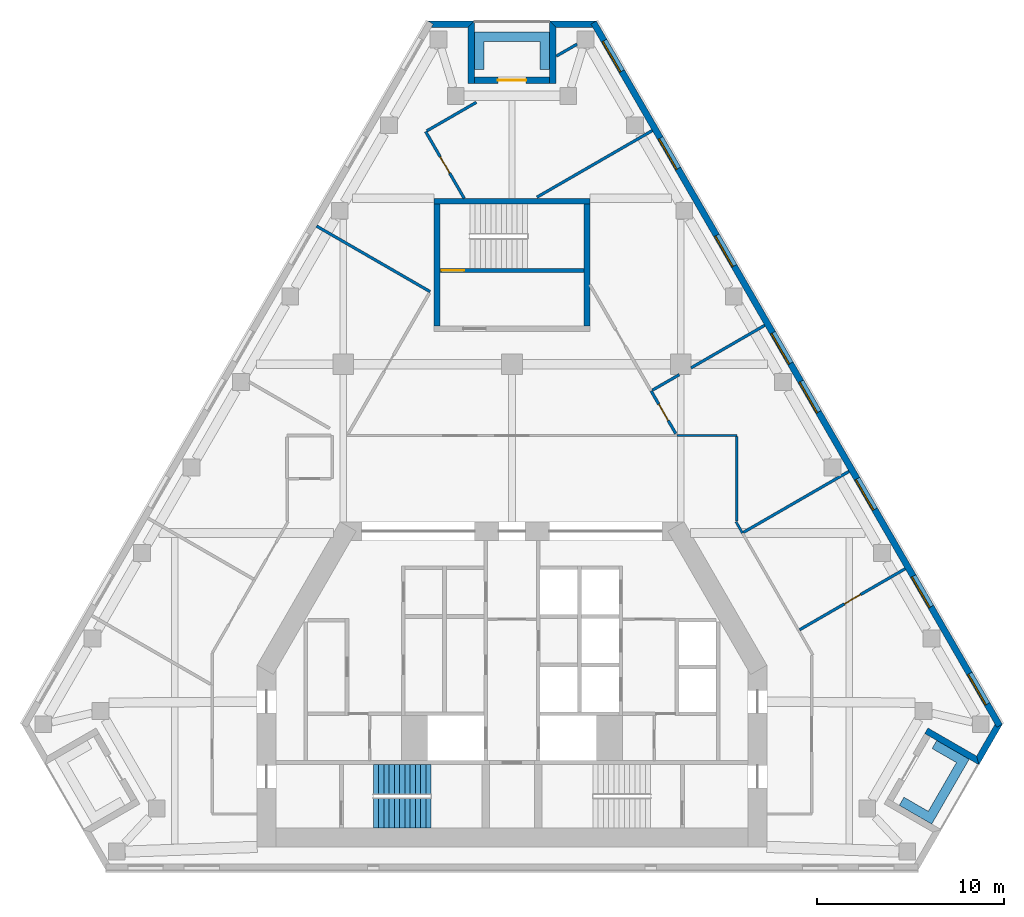
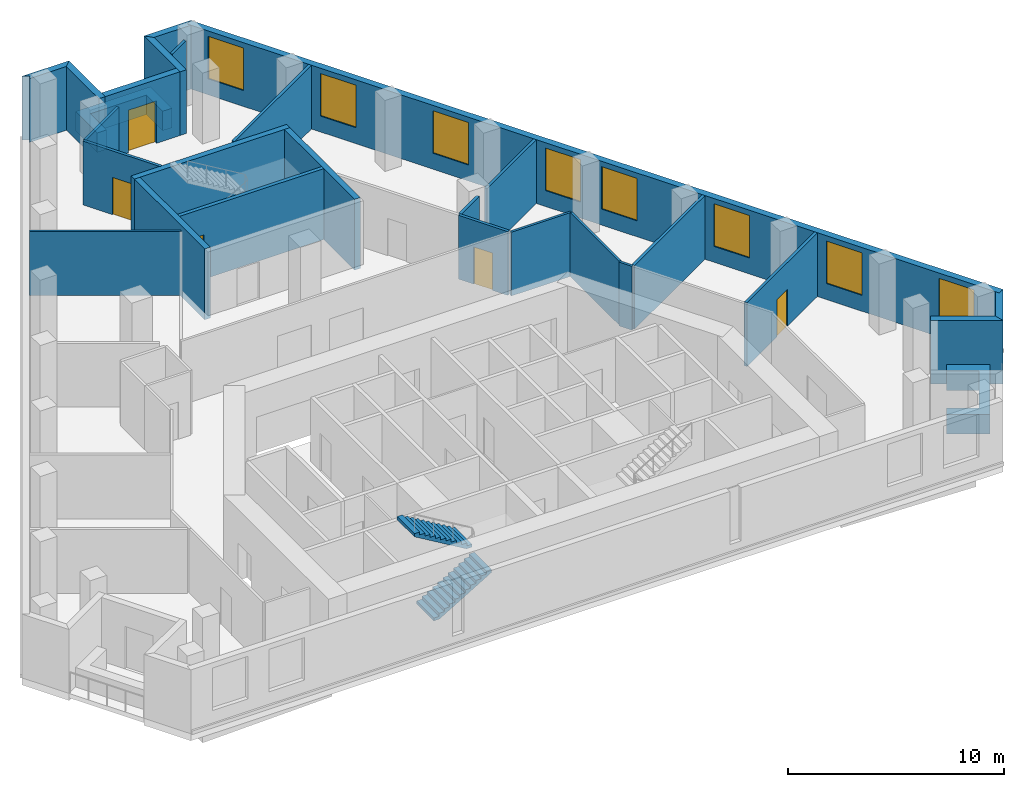
# One storey, part 5 of 7: 27 walls, 8 windows, 5 doors, 2 stair flights, 13 openings, 1 element without a shape of its own.
"""IFC4 building model written with IfcOpenShell, lengths in metres."""

from ifc_helpers import new_model, si_unit, direction, frame, frame_2d, origin, place, context, subcontext, project, spatial, polyline, rectangle, outline, extrude, material, layer, layer_set, type_object, element, fill, aggregate, save


model = new_model("IFC4")

# Units and contexts
model_context = context("Model", 3, precision=1e-05, world=origin(), true_north=direction((0.0, 1.0)))
body_context = subcontext(model_context, "Body", "Model", "MODEL_VIEW")
ifc_project = project(units=[si_unit("LENGTHUNIT", "METRE"), si_unit("AREAUNIT", "SQUARE_METRE"), si_unit("VOLUMEUNIT", "CUBIC_METRE"), si_unit("PLANEANGLEUNIT", "RADIAN"), si_unit("MASSUNIT", "GRAM", prefix="KILO")], contexts=[model_context])

# Site, building, storey
site_placement = place(None, origin())
site = spatial("IfcSite", under=ifc_project, at=site_placement, CompositionType="ELEMENT")
building_placement = place(site_placement, origin())
building = spatial("IfcBuilding", under=site, at=building_placement, Name="Fogline Exchange Tower", CompositionType="ELEMENT")
storey_placement = place(building_placement, frame((0.0, 0.0, 251.5)))
storey = spatial("IfcBuildingStorey", under=building, at=storey_placement, Name="L57", CompositionType="ELEMENT", Elevation=251.5)

# Wall, opening, door
ifc_material_1 = material(Name="Concrete C40", Category="concrete")
ifc_layer_1 = layer(ifc_material_1, 0.199951171875)
ifc_layer_set_1 = layer_set([ifc_layer_1], Name="CW20R")
wall_type_1 = type_object("IfcWallType", Name="CW20R", PredefinedType="SOLIDWALL", material=ifc_layer_set_1)
wall_1_placement = place(storey_placement, frame((-3.85009765625, 32.007080078125, -0.39990234375), z_axis=(0.0, 0.0, 1.0), x_axis=(1.0, 0.0, 0.0)))
wall_1 = element("IfcWall", 1, at=wall_1_placement, inside=storey, type_object=wall_type_1, Name="Stair enclosure wall ST3", PredefinedType="SOLIDWALL", context=body_context, shape_type="SweptSolid", body=[
    extrude(rectangle(XDim=7.7001953125, YDim=0.199951171875, at=frame_2d((3.85009765625, 0.0))), origin(), (0.0, 0.0, 1.0), 4.0),
])
opening_1_placement = place(wall_1_placement, frame((0.10009765625, 0.0, 0.39990234375)))
opening_1 = element("IfcOpeningElement", 2, at=opening_1_placement, cuts=wall_1, Name="Opening T18-C024", PredefinedType="OPENING", context=body_context, shape_type="SweptSolid", body=[
    extrude(rectangle(XDim=1.199951171875, YDim=2.10009765625, at=frame_2d((0.60009765625, 1.050048828125))), frame((0.0, 0.10986328125, 0.0), z_axis=(0.0, -1.0, 0.0), x_axis=(1.0, 0.0, 0.0)), (0.0, 0.0, 1.0), 0.219970703125),
])
ifc_material_2 = material(Name="Steel and timber fire door", Category="steel")
door_type_1 = type_object("IfcDoorType", Name="D-ST1", OperationType="SINGLE_SWING_LEFT", PredefinedType="DOOR", material=ifc_material_2)
door_1_placement = place(opening_1_placement, origin())
door_1 = element("IfcDoor", 3, at=door_1_placement, inside=storey, type_object=door_type_1, Name="Stair door ST3", OperationType="SINGLE_SWING_LEFT", OverallHeight=2.10009765625, OverallWidth=1.199951171875, PredefinedType="DOOR", context=body_context, shape_type="SweptSolid", body=[
    extrude(rectangle(XDim=1.199951171875, YDim=2.10009765625, at=frame_2d((0.60009765625, 1.050048828125))), frame((0.0, 0.02490234375, 0.0), z_axis=(0.0, -1.0, 0.0), x_axis=(1.0, 0.0, 0.0)), (0.0, 0.0, 1.0), 0.050048828125),
])
fill(opening_1, door_1)

# Walls
ifc_layer_2 = layer(ifc_material_1, 0.300048828125)
ifc_layer_set_2 = layer_set([ifc_layer_2], Name="CW30")
wall_type_2 = type_object("IfcWallType", Name="CW30", PredefinedType="SOLIDWALL", material=ifc_layer_set_2)
wall_2_placement = place(storey_placement, frame((-4.14990234375, 35.70703125, -0.39990234375), z_axis=(0.0, 0.0, 1.0), x_axis=(1.0, 0.0, 0.0)))
element("IfcWall", 4, at=wall_2_placement, inside=storey, type_object=wall_type_2, Name="Stair enclosure wall ST3", PredefinedType="SOLIDWALL", context=body_context, shape_type="SweptSolid", body=[
    extrude(rectangle(XDim=8.2998046875, YDim=0.300048828125, at=frame_2d((4.14990234375, 0.0))), origin(), (0.0, 0.0, 1.0), 4.0),
])
for number, where, z_axis, x_axis, name in (
    (5, (-4.0, 29.056884765625, -0.39990234375), (0.0, 0.0, 1.0), (0.0, 1.0, 0.0), "Stair enclosure wall ST3"),
    (6, (4.0, 29.056884765625, -0.39990234375), (0.0, 0.0, 1.0), (0.0, 1.0, 0.0), "Stair enclosure wall ST3"),
):
    element("IfcWall", number, at=place(storey_placement, frame(where, z_axis=z_axis, x_axis=x_axis)), inside=storey, type_object=wall_type_2, Name=name, PredefinedType="SOLIDWALL", context=body_context, shape_type="SweptSolid", body=[
        extrude(rectangle(XDim=6.5, YDim=0.300048828125, at=frame_2d((3.25, 0.0))), origin(), (0.0, 0.0, 1.0), 4.0),
    ])
ifc_material_3 = material(Name="Brick masonry", Category="masonry")
ifc_layer_3 = layer(ifc_material_3, 0.340087890625)
ifc_layer_set_3 = layer_set([ifc_layer_3], Name="FW1")
wall_type_3 = type_object("IfcWallType", Name="FW1", PredefinedType="SOLIDWALL", material=ifc_layer_set_3)
wall_3_placement = place(storey_placement, origin())
element("IfcWall", 7, at=wall_3_placement, inside=storey, type_object=wall_type_3, Name="Brick wall L57 SE-s2", PredefinedType="SOLIDWALL", context=body_context, shape_type="SweptSolid", body=[
    extrude(outline(polyline([(24.919921875, 5.628173828125), (22.321044921875, 7.128662109375), (22.026123046875, 7.298828125), (22.196533203125, 7.594482421875), (24.79541015625, 6.093994140625), (24.920166015625, 5.62841796875), (24.919921875, 5.628173828125)])), origin(), (0.0, 0.0, 1.0), 3.60009765625),
])
wall_4_placement = place(storey_placement, origin())
element("IfcWall", 8, at=wall_4_placement, inside=storey, type_object=wall_type_3, Name="Brick wall L57 SE-c2", PredefinedType="SOLIDWALL", context=body_context, shape_type="SweptSolid", body=[
    extrude(outline(polyline([(25.77685546875, 7.79541015625), (25.875244140625, 7.625), (26.169921875, 7.79541015625), (26.17041015625, 7.794921875), (24.91943359375, 5.6279296875), (24.9189453125, 5.6279296875), (24.794189453125, 6.09375), (25.77685546875, 7.79541015625)])), origin(), (0.0, 0.0, 1.0), 3.60009765625),
])

# Wall, openings, windows
wall_5_placement = place(storey_placement, frame((26.022216796875, 7.709228515625, 0.0), z_axis=(0.0, 0.0, 1.0), x_axis=(-0.500000891752, 0.866024888931, 0.0)))
wall_5 = element("IfcWall", 9, at=wall_5_placement, inside=storey, type_object=wall_type_3, Name="Brick wall L57 E", PredefinedType="SOLIDWALL", context=body_context, shape_type="SweptSolid", body=[
    extrude(rectangle(XDim=43.3388671875, YDim=0.340087890625, at=frame_2d((21.66943359375, 0.0))), origin(), (0.0, 0.0, 1.0), 3.60009765625),
])
opening_2_placement = place(wall_5_placement, frame((1.334716796875, 0.0, 0.89990234375)))
opening_2 = element("IfcOpeningElement", 10, at=opening_2_placement, cuts=wall_5, Name="Opening W1", PredefinedType="OPENING", context=body_context, shape_type="SweptSolid", body=[
    extrude(rectangle(XDim=1.885009765625, YDim=2.39990234375, at=frame_2d((0.9423828125, 1.199951171875))), frame((0.0, 0.18017578125, 0.0), z_axis=(0.0, -1.0, 0.0), x_axis=(1.0, 0.0, 0.0)), (0.0, 0.0, 1.0), 0.360107421875),
])
opening_3_placement = place(wall_5_placement, frame((7.334716796875, 0.0, 0.89990234375)))
opening_3 = element("IfcOpeningElement", 11, at=opening_3_placement, cuts=wall_5, Name="Opening W1", PredefinedType="OPENING", context=body_context, shape_type="SweptSolid", body=[
    extrude(rectangle(XDim=1.885009765625, YDim=2.39990234375, at=frame_2d((0.9423828125, 1.199951171875))), frame((0.0, 0.18017578125, 0.0), z_axis=(0.0, -1.0, 0.0), x_axis=(1.0, 0.0, 0.0)), (0.0, 0.0, 1.0), 0.360107421875),
])
opening_4_placement = place(wall_5_placement, frame((13.334716796875, 0.0, 0.89990234375)))
opening_4 = element("IfcOpeningElement", 12, at=opening_4_placement, cuts=wall_5, Name="Opening W1", PredefinedType="OPENING", context=body_context, shape_type="SweptSolid", body=[
    extrude(rectangle(XDim=1.885009765625, YDim=2.39990234375, at=frame_2d((0.9423828125, 1.199951171875))), frame((0.0, 0.18017578125, 0.0), z_axis=(0.0, -1.0, 0.0), x_axis=(1.0, 0.0, 0.0)), (0.0, 0.0, 1.0), 0.360107421875),
])
opening_5_placement = place(wall_5_placement, frame((19.334716796875, 0.0, 0.89990234375)))
opening_5 = element("IfcOpeningElement", 13, at=opening_5_placement, cuts=wall_5, Name="Opening W1", PredefinedType="OPENING", context=body_context, shape_type="SweptSolid", body=[
    extrude(rectangle(XDim=1.885009765625, YDim=2.39990234375, at=frame_2d((0.9423828125, 1.199951171875))), frame((0.0, 0.18017578125, 0.0), z_axis=(0.0, -1.0, 0.0), x_axis=(1.0, 0.0, 0.0)), (0.0, 0.0, 1.0), 0.360107421875),
])
opening_6_placement = place(wall_5_placement, frame((22.334716796875, 0.0, 0.89990234375)))
opening_6 = element("IfcOpeningElement", 14, at=opening_6_placement, cuts=wall_5, Name="Opening W1", PredefinedType="OPENING", context=body_context, shape_type="SweptSolid", body=[
    extrude(rectangle(XDim=1.885009765625, YDim=2.39990234375, at=frame_2d((0.9423828125, 1.199951171875))), frame((0.0, 0.18017578125, 0.0), z_axis=(0.0, -1.0, 0.0), x_axis=(1.0, 0.0, 0.0)), (0.0, 0.0, 1.0), 0.360107421875),
])
opening_7_placement = place(wall_5_placement, frame((28.334716796875, 0.0, 0.89990234375)))
opening_7 = element("IfcOpeningElement", 15, at=opening_7_placement, cuts=wall_5, Name="Opening W1", PredefinedType="OPENING", context=body_context, shape_type="SweptSolid", body=[
    extrude(rectangle(XDim=1.885009765625, YDim=2.39990234375, at=frame_2d((0.9423828125, 1.199951171875))), frame((0.0, 0.18017578125, 0.0), z_axis=(0.0, -1.0, 0.0), x_axis=(1.0, 0.0, 0.0)), (0.0, 0.0, 1.0), 0.360107421875),
])
opening_8_placement = place(wall_5_placement, frame((34.334716796875, 0.0, 0.89990234375)))
opening_8 = element("IfcOpeningElement", 16, at=opening_8_placement, cuts=wall_5, Name="Opening W1", PredefinedType="OPENING", context=body_context, shape_type="SweptSolid", body=[
    extrude(rectangle(XDim=1.885009765625, YDim=2.39990234375, at=frame_2d((0.9423828125, 1.199951171875))), frame((0.0, 0.18017578125, 0.0), z_axis=(0.0, -1.0, 0.0), x_axis=(1.0, 0.0, 0.0)), (0.0, 0.0, 1.0), 0.360107421875),
])
opening_9_placement = place(wall_5_placement, frame((40.334716796875, 0.0, 0.89990234375)))
opening_9 = element("IfcOpeningElement", 17, at=opening_9_placement, cuts=wall_5, Name="Opening W1", PredefinedType="OPENING", context=body_context, shape_type="SweptSolid", body=[
    extrude(rectangle(XDim=1.885009765625, YDim=2.39990234375, at=frame_2d((0.9423828125, 1.199951171875))), frame((0.0, 0.18017578125, 0.0), z_axis=(0.0, -1.0, 0.0), x_axis=(1.0, 0.0, 0.0)), (0.0, 0.0, 1.0), 0.360107421875),
])
ifc_material_4 = material(Name="Aluminium and glass", Category="aluminium")
window_type = type_object("IfcWindowType", Name="W1", PartitioningType="SINGLE_PANEL", PredefinedType="WINDOW", material=ifc_material_4)
window_1_placement = place(opening_2_placement, origin())
window_1 = element("IfcWindow", 18, at=window_1_placement, inside=storey, type_object=window_type, Name="W1 W1", OverallHeight=2.39990234375, OverallWidth=1.885009765625, PartitioningType="SINGLE_PANEL", PredefinedType="WINDOW", context=body_context, shape_type="SweptSolid", body=[
    extrude(rectangle(XDim=1.885009765625, YDim=2.39990234375, at=frame_2d((0.9423828125, 1.199951171875))), frame((0.0, 0.110107421875, 0.0), z_axis=(0.0, -1.0, 0.0), x_axis=(1.0, 0.0, 0.0)), (0.0, 0.0, 1.0), 0.06005859375),
])
fill(opening_2, window_1)
window_2_placement = place(opening_3_placement, origin())
window_2 = element("IfcWindow", 19, at=window_2_placement, inside=storey, type_object=window_type, Name="W1 W1", OverallHeight=2.39990234375, OverallWidth=1.885009765625, PartitioningType="SINGLE_PANEL", PredefinedType="WINDOW", context=body_context, shape_type="SweptSolid", body=[
    extrude(rectangle(XDim=1.885009765625, YDim=2.39990234375, at=frame_2d((0.9423828125, 1.199951171875))), frame((0.0, 0.110107421875, 0.0), z_axis=(0.0, -1.0, 0.0), x_axis=(1.0, 0.0, 0.0)), (0.0, 0.0, 1.0), 0.06005859375),
])
fill(opening_3, window_2)
window_3_placement = place(opening_4_placement, origin())
window_3 = element("IfcWindow", 20, at=window_3_placement, inside=storey, type_object=window_type, Name="W1 W1", OverallHeight=2.39990234375, OverallWidth=1.885009765625, PartitioningType="SINGLE_PANEL", PredefinedType="WINDOW", context=body_context, shape_type="SweptSolid", body=[
    extrude(rectangle(XDim=1.885009765625, YDim=2.39990234375, at=frame_2d((0.9423828125, 1.199951171875))), frame((0.0, 0.110107421875, 0.0), z_axis=(0.0, -1.0, 0.0), x_axis=(1.0, 0.0, 0.0)), (0.0, 0.0, 1.0), 0.06005859375),
])
fill(opening_4, window_3)
window_4_placement = place(opening_5_placement, origin())
window_4 = element("IfcWindow", 21, at=window_4_placement, inside=storey, type_object=window_type, Name="W1 W1", OverallHeight=2.39990234375, OverallWidth=1.885009765625, PartitioningType="SINGLE_PANEL", PredefinedType="WINDOW", context=body_context, shape_type="SweptSolid", body=[
    extrude(rectangle(XDim=1.885009765625, YDim=2.39990234375, at=frame_2d((0.9423828125, 1.199951171875))), frame((0.0, 0.110107421875, 0.0), z_axis=(0.0, -1.0, 0.0), x_axis=(1.0, 0.0, 0.0)), (0.0, 0.0, 1.0), 0.06005859375),
])
fill(opening_5, window_4)
window_5_placement = place(opening_6_placement, origin())
window_5 = element("IfcWindow", 22, at=window_5_placement, inside=storey, type_object=window_type, Name="W1 W1", OverallHeight=2.39990234375, OverallWidth=1.885009765625, PartitioningType="SINGLE_PANEL", PredefinedType="WINDOW", context=body_context, shape_type="SweptSolid", body=[
    extrude(rectangle(XDim=1.885009765625, YDim=2.39990234375, at=frame_2d((0.9423828125, 1.199951171875))), frame((0.0, 0.110107421875, 0.0), z_axis=(0.0, -1.0, 0.0), x_axis=(1.0, 0.0, 0.0)), (0.0, 0.0, 1.0), 0.06005859375),
])
fill(opening_6, window_5)
window_6_placement = place(opening_7_placement, origin())
window_6 = element("IfcWindow", 23, at=window_6_placement, inside=storey, type_object=window_type, Name="W1 W1", OverallHeight=2.39990234375, OverallWidth=1.885009765625, PartitioningType="SINGLE_PANEL", PredefinedType="WINDOW", context=body_context, shape_type="SweptSolid", body=[
    extrude(rectangle(XDim=1.885009765625, YDim=2.39990234375, at=frame_2d((0.9423828125, 1.199951171875))), frame((0.0, 0.110107421875, 0.0), z_axis=(0.0, -1.0, 0.0), x_axis=(1.0, 0.0, 0.0)), (0.0, 0.0, 1.0), 0.06005859375),
])
fill(opening_7, window_6)
window_7_placement = place(opening_8_placement, origin())
window_7 = element("IfcWindow", 24, at=window_7_placement, inside=storey, type_object=window_type, Name="W1 W1", OverallHeight=2.39990234375, OverallWidth=1.885009765625, PartitioningType="SINGLE_PANEL", PredefinedType="WINDOW", context=body_context, shape_type="SweptSolid", body=[
    extrude(rectangle(XDim=1.885009765625, YDim=2.39990234375, at=frame_2d((0.9423828125, 1.199951171875))), frame((0.0, 0.110107421875, 0.0), z_axis=(0.0, -1.0, 0.0), x_axis=(1.0, 0.0, 0.0)), (0.0, 0.0, 1.0), 0.06005859375),
])
fill(opening_8, window_7)
window_8_placement = place(opening_9_placement, origin())
window_8 = element("IfcWindow", 25, at=window_8_placement, inside=storey, type_object=window_type, Name="W1 W1", OverallHeight=2.39990234375, OverallWidth=1.885009765625, PartitioningType="SINGLE_PANEL", PredefinedType="WINDOW", context=body_context, shape_type="SweptSolid", body=[
    extrude(rectangle(XDim=1.885009765625, YDim=2.39990234375, at=frame_2d((0.9423828125, 1.199951171875))), frame((0.0, 0.110107421875, 0.0), z_axis=(0.0, -1.0, 0.0), x_axis=(1.0, 0.0, 0.0)), (0.0, 0.0, 1.0), 0.06005859375),
])
fill(opening_9, window_8)

# Walls
wall_6_placement = place(storey_placement, origin())
element("IfcWall", 26, at=wall_6_placement, inside=storey, type_object=wall_type_3, Name="Brick wall L57 N-c1", PredefinedType="SOLIDWALL", context=body_context, shape_type="SweptSolid", body=[
    extrude(outline(polyline([(1.9990234375, 45.3271484375), (4.5009765625, 45.3271484375), (4.501220703125, 45.32666015625), (4.206298828125, 45.156494140625), (4.3046875, 44.986083984375), (2.33984375, 44.986083984375), (1.998779296875, 45.326904296875), (1.9990234375, 45.3271484375)])), origin(), (0.0, 0.0, 1.0), 3.60009765625),
])
wall_7_placement = place(storey_placement, origin())
element("IfcWall", 27, at=wall_7_placement, inside=storey, type_object=wall_type_3, Name="Brick wall L57 N-s1", PredefinedType="SOLIDWALL", context=body_context, shape_type="SweptSolid", body=[
    extrude(outline(polyline([(2.340576171875, 41.986083984375), (1.99951171875, 41.986083984375), (1.99951171875, 45.32763671875), (1.999755859375, 45.327880859375), (2.340576171875, 44.98681640625), (2.340576171875, 41.986083984375)])), origin(), (0.0, 0.0, 1.0), 3.60009765625),
])

# Wall, opening, door
wall_8_placement = place(storey_placement, frame((2.0, 42.15673828125, 0.0), z_axis=(0.0, 0.0, 1.0), x_axis=(-1.0, 0.0, 0.0)))
wall_8 = element("IfcWall", 28, at=wall_8_placement, inside=storey, type_object=wall_type_3, Name="Brick wall L57 N-bk", PredefinedType="SOLIDWALL", context=body_context, shape_type="SweptSolid", body=[
    extrude(rectangle(XDim=4.0, YDim=0.340087890625, at=frame_2d((2.0, 0.0))), origin(), (0.0, 0.0, 1.0), 3.60009765625),
])
opening_10_placement = place(wall_8_placement, frame((1.25, 0.0, 0.0)))
opening_10 = element("IfcOpeningElement", 29, at=opening_10_placement, cuts=wall_8, Name="Opening T18-E141", PredefinedType="OPENING", context=body_context, shape_type="SweptSolid", body=[
    extrude(rectangle(XDim=1.5, YDim=2.39990234375, at=frame_2d((0.75, 1.199951171875))), frame((0.0, 0.18017578125, 0.0), z_axis=(0.0, -1.0, 0.0), x_axis=(1.0, 0.0, 0.0)), (0.0, 0.0, 1.0), 0.360107421875),
])
door_type_2 = type_object("IfcDoorType", Name="ED4", OperationType="SINGLE_SWING_LEFT", PredefinedType="DOOR", material=ifc_material_4)
door_2_placement = place(opening_10_placement, frame((1.5, 0.0, 0.0), z_axis=(0.0, 0.0, 1.0), x_axis=(-1.0, 0.0, 0.0)))
door_2 = element("IfcDoor", 30, at=door_2_placement, inside=storey, type_object=door_type_2, Name="Balcony door L57 N", OperationType="DOUBLE_DOOR_SINGLE_SWING", OverallHeight=2.39990234375, OverallWidth=1.5, PredefinedType="DOOR", context=body_context, shape_type="SweptSolid", body=[
    extrude(rectangle(XDim=1.5, YDim=2.39990234375, at=frame_2d((0.75, 1.199951171875))), frame((0.0, 0.02490234375, 0.0), z_axis=(0.0, -1.0, 0.0), x_axis=(1.0, 0.0, 0.0)), (0.0, 0.0, 1.0), 0.050048828125),
])
fill(opening_10, door_2)

# Walls
wall_9_placement = place(storey_placement, origin())
element("IfcWall", 31, at=wall_9_placement, inside=storey, type_object=wall_type_3, Name="Brick wall L57 N-s2", PredefinedType="SOLIDWALL", context=body_context, shape_type="SweptSolid", body=[
    extrude(outline(polyline([(-1.99951171875, 45.32763671875), (-1.99951171875, 41.986083984375), (-2.340576171875, 41.986083984375), (-2.340576171875, 44.98681640625), (-1.999755859375, 45.327880859375), (-1.99951171875, 45.32763671875)])), origin(), (0.0, 0.0, 1.0), 3.60009765625),
])
wall_10_placement = place(storey_placement, origin())
element("IfcWall", 32, at=wall_10_placement, inside=storey, type_object=wall_type_3, Name="Brick wall L57 N-c2", PredefinedType="SOLIDWALL", context=body_context, shape_type="SweptSolid", body=[
    extrude(outline(polyline([(-4.3046875, 44.986083984375), (-4.206298828125, 45.156494140625), (-4.501220703125, 45.32666015625), (-4.5009765625, 45.3271484375), (-1.9990234375, 45.3271484375), (-1.998779296875, 45.326904296875), (-2.33984375, 44.986083984375), (-4.3046875, 44.986083984375)])), origin(), (0.0, 0.0, 1.0), 3.60009765625),
])
ifc_material_5 = material(Name="Concrete C30", Category="concrete")
ifc_layer_4 = layer(ifc_material_5, 0.199951171875)
ifc_layer_set_4 = layer_set([ifc_layer_4], Name="PL1")
wall_type_4 = type_object("IfcWallType", Name="PL1", PredefinedType="USERDEFINED", material=ifc_layer_set_4)
wall_11_placement = place(storey_placement, origin())
element("IfcWall", 33, at=wall_11_placement, inside=storey, type_object=wall_type_4, Name="PLANTER balcony L57 SE", ObjectType="PLANTER", PredefinedType="USERDEFINED", context=body_context, shape_type="SweptSolid", body=[
    extrude(outline(polyline([(20.667724609375, 3.465087890625), (21.966796875, 2.715087890625), (21.966796875, 2.715087890625), (22.399658203125, 2.465087890625), (24.149658203125, 5.49609375), (24.399658203125, 5.92919921875), (22.667724609375, 6.92919921875), (22.417724609375, 6.49609375), (23.716796875, 5.74609375), (22.216796875, 3.148193359375), (20.917724609375, 3.898193359375), (20.667724609375, 3.465087890625)])), origin(), (0.0, 0.0, 1.0), 1.10009765625),
])
wall_12_placement = place(storey_placement, origin())
element("IfcWall", 34, at=wall_12_placement, inside=storey, type_object=wall_type_4, Name="PLANTER balcony L57 N", ObjectType="PLANTER", PredefinedType="USERDEFINED", context=body_context, shape_type="SweptSolid", body=[
    extrude(outline(polyline([(-1.5, 44.726806640625), (-2.0, 44.726806640625), (-2.0, 44.226806640625), (-2.0, 42.726806640625), (-1.5, 42.726806640625), (-1.5, 44.226806640625), (1.5, 44.226806640625), (1.5, 42.726806640625), (2.0, 42.726806640625), (2.0, 44.226806640625), (2.0, 44.726806640625), (1.5, 44.726806640625), (-1.5, 44.726806640625)])), origin(), (0.0, 0.0, 1.0), 1.10009765625),
])
ifc_material_6 = material(Name="Plasterboard corridor partition with mineral wool, 2 layers each side")
ifc_layer_5 = layer(ifc_material_6, 0.125)
ifc_layer_set_5 = layer_set([ifc_layer_5], Name="PW2")
wall_type_5 = type_object("IfcWallType", Name="PW2", PredefinedType="PARTITIONING", material=ifc_layer_set_5)
wall_13_placement = place(storey_placement, frame((11.951904296875, 18.60009765625, 0.0), z_axis=(0.0, 0.0, 1.0), x_axis=(0.499793951269, -0.866144333396, 0.0)))
element("IfcWall", 35, at=wall_13_placement, inside=storey, type_object=wall_type_5, Name="wall-L57-W001", PredefinedType="PARTITIONING", context=body_context, shape_type="SweptSolid", body=[
    extrude(rectangle(XDim=0.689697265625, YDim=0.125, at=frame_2d((0.3447265625, 0.0))), origin(), (0.0, 0.0, 1.0), 3.60009765625),
])
wall_14_placement = place(storey_placement, frame((8.79931640625, 23.199951171875, 0.0), z_axis=(0.0, 0.0, 1.0), x_axis=(1.0, 0.0, 0.0)))
element("IfcWall", 36, at=wall_14_placement, inside=storey, type_object=wall_type_5, Name="wall-L57-W006", PredefinedType="PARTITIONING", context=body_context, shape_type="SweptSolid", body=[
    extrude(rectangle(XDim=3.20068359375, YDim=0.125, at=frame_2d((1.600341796875, 0.0))), origin(), (0.0, 0.0, 1.0), 3.60009765625),
])
wall_15_placement = place(storey_placement, frame((12.0, 23.137451171875, 0.0), z_axis=(0.0, 0.0, 1.0), x_axis=(0.0, -1.0, 0.0)))
element("IfcWall", 37, at=wall_15_placement, inside=storey, type_object=wall_type_5, Name="wall-L57-W007", PredefinedType="PARTITIONING", context=body_context, shape_type="SweptSolid", body=[
    extrude(rectangle(XDim=4.505859375, YDim=0.125, at=frame_2d((2.2529296875, 0.0))), origin(), (0.0, 0.0, 1.0), 3.60009765625),
])
ifc_material_7 = material(Name="Plasterboard demising partition with mineral wool and acoustic board")
ifc_layer_6 = layer(ifc_material_7, 0.14990234375)
ifc_layer_set_6 = layer_set([ifc_layer_6], Name="PW3")
wall_type_6 = type_object("IfcWallType", Name="PW3", PredefinedType="PARTITIONING", material=ifc_layer_set_6)
wall_16_placement = place(storey_placement, frame((7.489013671875, 25.619384765625, 0.0), z_axis=(0.0, 0.0, 1.0), x_axis=(0.86604609353, 0.499964162598, 0.0)))
element("IfcWall", 38, at=wall_16_placement, inside=storey, type_object=wall_type_6, Name="wall-L57-W017", PredefinedType="PARTITIONING", context=body_context, shape_type="SweptSolid", body=[
    extrude(rectangle(XDim=1.6611328125, YDim=0.14990234375, at=frame_2d((0.83056640625, 0.0))), origin(), (0.0, 0.0, 1.0), 3.60009765625),
])
wall_17_placement = place(storey_placement, frame((9.550048828125, 26.809326171875, 0.0), z_axis=(0.0, 0.0, 1.0), x_axis=(0.866039786615, 0.499975087379, 0.0)))
element("IfcWall", 39, at=wall_17_placement, inside=storey, type_object=wall_type_6, Name="wall-L57-W018", PredefinedType="PARTITIONING", context=body_context, shape_type="SweptSolid", body=[
    extrude(rectangle(XDim=4.545166015625, YDim=0.14990234375, at=frame_2d((2.2724609375, 0.0))), origin(), (0.0, 0.0, 1.0), 3.60009765625),
])

# Wall, opening, door
wall_18_placement = place(storey_placement, frame((8.7412109375, 23.30029296875, 0.0), z_axis=(0.0, 0.0, 1.0), x_axis=(-0.499976488486, 0.866038977738, 0.0)))
wall_18 = element("IfcWall", 40, at=wall_18_placement, inside=storey, type_object=wall_type_6, Name="wall-L57-W019", PredefinedType="PARTITIONING", context=body_context, shape_type="SweptSolid", body=[
    extrude(rectangle(XDim=2.634521484375, YDim=0.14990234375, at=frame_2d((1.3173828125, 0.0))), origin(), (0.0, 0.0, 1.0), 3.60009765625),
])
opening_11_placement = place(wall_18_placement, frame((0.817138671875, 0.0, 0.0)))
opening_11 = element("IfcOpeningElement", 41, at=opening_11_placement, cuts=wall_18, Name="Opening T18-D008", PredefinedType="OPENING", context=body_context, shape_type="SweptSolid", body=[
    extrude(rectangle(XDim=1.0, YDim=2.10009765625, at=frame_2d((0.5, 1.050048828125))), frame((0.0, 0.0849609375, 0.0), z_axis=(0.0, -1.0, 0.0), x_axis=(1.0, 0.0, 0.0)), (0.0, 0.0, 1.0), 0.169921875),
])
ifc_material_8 = material(Name="Fire-rated timber door leaf with steel frame", Category="steel")
door_type_3 = type_object("IfcDoorType", Name="D3", OperationType="SINGLE_SWING_LEFT", PredefinedType="DOOR", material=ifc_material_8)
door_3_placement = place(opening_11_placement, frame((1.0, 0.0, 0.0), z_axis=(0.0, 0.0, 1.0), x_axis=(-1.0, 0.0, 0.0)))
door_3 = element("IfcDoor", 42, at=door_3_placement, inside=storey, type_object=door_type_3, Name="door-L57-D008", OperationType="SINGLE_SWING_RIGHT", OverallHeight=2.10009765625, OverallWidth=1.0, PredefinedType="DOOR", context=body_context, shape_type="SweptSolid", body=[
    extrude(rectangle(XDim=1.0, YDim=2.10009765625, at=frame_2d((0.5, 1.050048828125))), frame((0.0, 0.02490234375, 0.0), z_axis=(0.0, -1.0, 0.0), x_axis=(1.0, 0.0, 0.0)), (0.0, 0.0, 1.0), 0.050048828125),
])
fill(opening_11, door_3)

# Walls
wall_19_placement = place(storey_placement, frame((17.986328125, 21.28759765625, 0.0), z_axis=(0.0, 0.0, 1.0), x_axis=(-0.866041263748, -0.499972528731, 0.0)))
element("IfcWall", 43, at=wall_19_placement, inside=storey, type_object=wall_type_6, Name="wall-L57-W020", PredefinedType="PARTITIONING", context=body_context, shape_type="SweptSolid", body=[
    extrude(rectangle(XDim=6.507080078125, YDim=0.14990234375, at=frame_2d((3.25341796875, 0.0))), origin(), (0.0, 0.0, 1.0), 3.60009765625),
])
wall_20_placement = place(storey_placement, frame((1.3330078125, 35.921630859375, 0.0), z_axis=(0.0, 0.0, 1.0), x_axis=(0.86603338142, 0.499986182076, 0.0)))
element("IfcWall", 44, at=wall_20_placement, inside=storey, type_object=wall_type_6, Name="wall-L57-W021", PredefinedType="PARTITIONING", context=body_context, shape_type="SweptSolid", body=[
    extrude(rectangle(XDim=7.105224609375, YDim=0.14990234375, at=frame_2d((3.552734375, 0.0))), origin(), (0.0, 0.0, 1.0), 3.60009765625),
])
wall_21_placement = place(storey_placement, frame((3.47265625, 44.08740234375, 0.0), z_axis=(0.0, 0.0, 1.0), x_axis=(-0.866036056452, -0.499981548585, 0.0)))
element("IfcWall", 45, at=wall_21_placement, inside=storey, type_object=wall_type_6, Name="wall-L57-W022", PredefinedType="PARTITIONING", context=body_context, shape_type="SweptSolid", body=[
    extrude(rectangle(XDim=1.27783203125, YDim=0.14990234375, at=frame_2d((0.638916015625, 0.0))), origin(), (0.0, 0.0, 1.0), 3.60009765625),
])

# Wall, opening, door
wall_22_placement = place(storey_placement, frame((-2.549560546875, 35.85693359375, 0.0), z_axis=(0.0, 0.0, 1.0), x_axis=(-0.499997954832, 0.866026584559, 0.0)))
wall_22 = element("IfcWall", 46, at=wall_22_placement, inside=storey, type_object=wall_type_6, Name="wall-L57-W024", PredefinedType="PARTITIONING", context=body_context, shape_type="SweptSolid", body=[
    extrude(rectangle(XDim=4.11669921875, YDim=0.14990234375, at=frame_2d((2.058349609375, 0.0))), origin(), (0.0, 0.0, 1.0), 3.60009765625),
])
opening_12_placement = place(wall_22_placement, frame((1.558349609375, 0.0, 0.0)))
opening_12 = element("IfcOpeningElement", 47, at=opening_12_placement, cuts=wall_22, Name="Opening T18-D010", PredefinedType="OPENING", context=body_context, shape_type="SweptSolid", body=[
    extrude(rectangle(XDim=1.0, YDim=2.10009765625, at=frame_2d((0.5, 1.050048828125))), frame((0.0, 0.0849609375, 0.0), z_axis=(0.0, -1.0, 0.0), x_axis=(1.0, 0.0, 0.0)), (0.0, 0.0, 1.0), 0.169921875),
])
door_4_placement = place(opening_12_placement, frame((1.0, 0.0, 0.0), z_axis=(0.0, 0.0, 1.0), x_axis=(-1.0, 0.0, 0.0)))
door_4 = element("IfcDoor", 48, at=door_4_placement, inside=storey, type_object=door_type_3, Name="door-L57-D010", OperationType="SINGLE_SWING_RIGHT", OverallHeight=2.10009765625, OverallWidth=1.0, PredefinedType="DOOR", context=body_context, shape_type="SweptSolid", body=[
    extrude(rectangle(XDim=1.0, YDim=2.10009765625, at=frame_2d((0.5, 1.050048828125))), frame((0.0, 0.02490234375, 0.0), z_axis=(0.0, -1.0, 0.0), x_axis=(1.0, 0.0, 0.0)), (0.0, 0.0, 1.0), 0.050048828125),
])
fill(opening_12, door_4)

# Walls
wall_23_placement = place(storey_placement, frame((-4.54296875, 39.459716796875, 0.0), z_axis=(0.0, 0.0, 1.0), x_axis=(0.86602690036, 0.499997407846, 0.0)))
element("IfcWall", 49, at=wall_23_placement, inside=storey, type_object=wall_type_6, Name="wall-L57-W025", PredefinedType="PARTITIONING", context=body_context, shape_type="SweptSolid", body=[
    extrude(rectangle(XDim=3.048828125, YDim=0.14990234375, at=frame_2d((1.5244140625, 0.0))), origin(), (0.0, 0.0, 1.0), 3.60009765625),
])
wall_24_placement = place(storey_placement, frame((-4.36669921875, 30.877685546875, 0.0), z_axis=(0.0, 0.0, 1.0), x_axis=(-0.866019471182, 0.500010275428, 0.0)))
element("IfcWall", 50, at=wall_24_placement, inside=storey, type_object=wall_type_6, Name="wall-L57-W027", PredefinedType="PARTITIONING", context=body_context, shape_type="SweptSolid", body=[
    extrude(rectangle(XDim=6.999755859375, YDim=0.14990234375, at=frame_2d((3.5, 0.0))), origin(), (0.0, 0.0, 1.0), 3.60009765625),
])

# Wall, opening, door
wall_25_placement = place(storey_placement, frame((15.350830078125, 12.837890625, 0.0), z_axis=(0.0, 0.0, 1.0), x_axis=(0.866025018171, 0.500000667901, 0.0)))
wall_25 = element("IfcWall", 51, at=wall_25_placement, inside=storey, type_object=wall_type_6, Name="wall-L57-W033", PredefinedType="PARTITIONING", context=body_context, shape_type="SweptSolid", body=[
    extrude(rectangle(XDim=6.50732421875, YDim=0.14990234375, at=frame_2d((3.253662109375, 0.0))), origin(), (0.0, 0.0, 1.0), 3.60009765625),
])
opening_13_placement = place(wall_25_placement, frame((2.753662109375, 0.0, 0.0)))
opening_13 = element("IfcOpeningElement", 52, at=opening_13_placement, cuts=wall_25, Name="Opening T18-D012", PredefinedType="OPENING", context=body_context, shape_type="SweptSolid", body=[
    extrude(rectangle(XDim=1.0, YDim=2.10009765625, at=frame_2d((0.5, 1.050048828125))), frame((0.0, 0.0849609375, 0.0), z_axis=(0.0, -1.0, 0.0), x_axis=(1.0, 0.0, 0.0)), (0.0, 0.0, 1.0), 0.169921875),
])
door_5_placement = place(opening_13_placement, origin())
door_5 = element("IfcDoor", 53, at=door_5_placement, inside=storey, type_object=door_type_3, Name="door-L57-D012", OperationType="SINGLE_SWING_LEFT", OverallHeight=2.10009765625, OverallWidth=1.0, PredefinedType="DOOR", context=body_context, shape_type="SweptSolid", body=[
    extrude(rectangle(XDim=1.0, YDim=2.10009765625, at=frame_2d((0.5, 1.050048828125))), frame((0.0, 0.02490234375, 0.0), z_axis=(0.0, -1.0, 0.0), x_axis=(1.0, 0.0, 0.0)), (0.0, 0.0, 1.0), 0.050048828125),
])
fill(opening_13, door_5)

# Stair, stair flights
stair_type = type_object("IfcStairType", Name="STR24-1667", PredefinedType="HALF_TURN_STAIR", material=ifc_material_1)
stair_placement = place(storey_placement, origin())
stair = element("IfcStair", 54, at=stair_placement, inside=storey, type_object=stair_type, Name="Stair ST1", PredefinedType="HALF_TURN_STAIR")
stair_flight_type = type_object("IfcStairFlightType", Name="SF12-1667", PredefinedType="STRAIGHT", material=ifc_material_1)
stair_flight_1_placement = place(storey_placement, frame((-7.39990234375, 3.050048828125, 0.0), z_axis=(0.0, 0.0, 1.0), x_axis=(1.0, 0.0, 0.0)))
stair_flight_1 = element("IfcStairFlight", 55, at=stair_flight_1_placement, type_object=stair_flight_type, Name="ST1 flight 1", NumberOfRisers=12, NumberOfTreads=11, PredefinedType="STRAIGHT", RiserHeight=0.166666667, TreadLength=0.28, context=body_context, shape_type="SweptSolid", body=[
    extrude(outline(polyline([(0.0, 0.0), (0.0, 0.166748046875), (0.280029296875, 0.166748046875), (0.280029296875, 0.333251953125), (0.56005859375, 0.333251953125), (0.56005859375, 0.5), (0.840087890625, 0.5), (0.840087890625, 0.666748046875), (1.1201171875, 0.666748046875), (1.1201171875, 0.833251953125), (1.39990234375, 0.833251953125), (1.39990234375, 1.0), (1.679931640625, 1.0), (1.679931640625, 1.166748046875), (1.9599609375, 1.166748046875), (1.9599609375, 1.333251953125), (2.239990234375, 1.333251953125), (2.239990234375, 1.5), (2.52001953125, 1.5), (2.52001953125, 1.666748046875), (2.800048828125, 1.666748046875), (2.800048828125, 1.833251953125), (3.080078125, 1.833251953125), (3.080078125, 2.0), (3.080078125, 1.658935546875), (0.29296875, 0.0), (0.0, 0.0)])), frame((0.0, 0.800048828125, 0.0), z_axis=(0.0, -1.0, 0.0), x_axis=(1.0, 0.0, 0.0)), (0.0, 0.0, 1.0), 1.60009765625),
])
stair_flight_2_placement = place(storey_placement, frame((-4.320068359375, 4.85009765625, 2.0), z_axis=(0.0, 0.0, 1.0), x_axis=(-1.0, 0.0, 0.0)))
stair_flight_2 = element("IfcStairFlight", 56, at=stair_flight_2_placement, type_object=stair_flight_type, Name="ST1 flight 2", NumberOfRisers=12, NumberOfTreads=11, PredefinedType="STRAIGHT", RiserHeight=0.166666667, TreadLength=0.28, context=body_context, shape_type="SweptSolid", body=[
    extrude(outline(polyline([(0.0, 0.0), (0.0, 0.166748046875), (0.280029296875, 0.166748046875), (0.280029296875, 0.333251953125), (0.56005859375, 0.333251953125), (0.56005859375, 0.5), (0.840087890625, 0.5), (0.840087890625, 0.666748046875), (1.1201171875, 0.666748046875), (1.1201171875, 0.833251953125), (1.39990234375, 0.833251953125), (1.39990234375, 1.0), (1.679931640625, 1.0), (1.679931640625, 1.166748046875), (1.9599609375, 1.166748046875), (1.9599609375, 1.333251953125), (2.239990234375, 1.333251953125), (2.239990234375, 1.5), (2.52001953125, 1.5), (2.52001953125, 1.666748046875), (2.800048828125, 1.666748046875), (2.800048828125, 1.833251953125), (3.080078125, 1.833251953125), (3.080078125, 2.0), (3.080078125, 1.658935546875), (0.29296875, 0.0), (0.0, 0.0)])), frame((0.0, 0.800048828125, 0.0), z_axis=(0.0, -1.0, 0.0), x_axis=(1.0, 0.0, 0.0)), (0.0, 0.0, 1.0), 1.60009765625),
])
aggregate(stair, [stair_flight_1, stair_flight_2])

save(model, "model.ifc")
